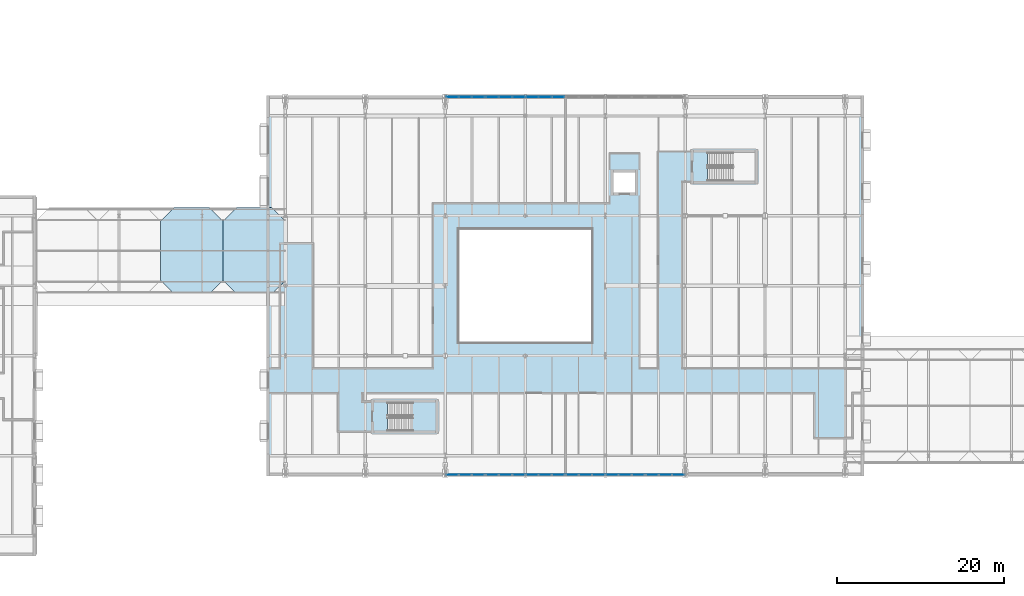
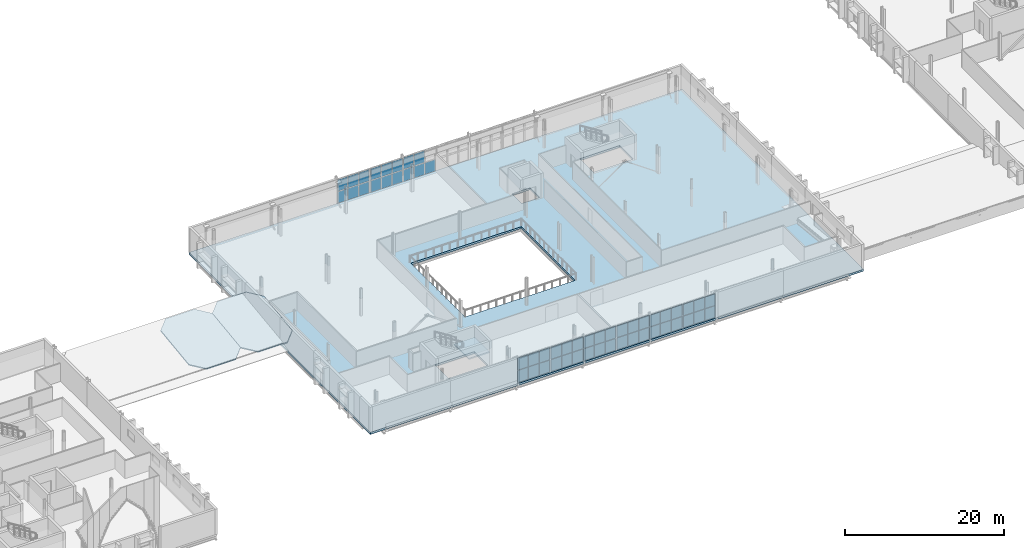
# One storey, part 43 of 90: 53 plates, 4 slabs, 11 elements without a shape of their own.
"""IFC4 building model written with IfcOpenShell, lengths in metres."""

from ifc_helpers import new_model, si_unit, direction, frame, origin, origin_2d, place, context, subcontext, project, spatial, polyline, rectangle, outline, extrude, material, layer, layer_set, type_object, element, aggregate, save


model = new_model("IFC4")

# Units and contexts
model_context = context("Model", 3, precision=1e-05, world=origin(), true_north=direction((0.0, 1.0)))
body_context = subcontext(model_context, "Body", "Model", "MODEL_VIEW")
ifc_project = project(units=[si_unit("LENGTHUNIT", "METRE"), si_unit("AREAUNIT", "SQUARE_METRE"), si_unit("VOLUMEUNIT", "CUBIC_METRE"), si_unit("PLANEANGLEUNIT", "RADIAN"), si_unit("MASSUNIT", "GRAM", prefix="KILO")], contexts=[model_context])

# Site, building, storey
site_placement = place(None, origin())
site = spatial("IfcSite", under=ifc_project, at=site_placement, CompositionType="ELEMENT")
building_placement = place(site_placement, origin())
building = spatial("IfcBuilding", under=site, at=building_placement, Name="Zereglee Splitstone Museum", CompositionType="ELEMENT")
storey_placement = place(building_placement, frame((0.0, 0.0, 4.800048828125)))
storey = spatial("IfcBuildingStorey", under=building, at=storey_placement, Name="L01", CompositionType="ELEMENT", Elevation=4.800048828125)

# Curtain wall, plates
ifc_material_1 = material(Name="Triple-glazed low-E argon glass and bronze-anodised aluminium", Category="aluminium")
ifc_layer_1 = layer(ifc_material_1, 0.219970703125)
ifc_layer_set_1 = layer_set([ifc_layer_1], Name="Triple-glazed low-E argon glass and bronze-anodised aluminium")
curtain_wall_type_1 = type_object("IfcCurtainWallType", Name="CW-0476-382", PredefinedType="USERDEFINED", material=ifc_layer_set_1)
curtain_wall_1_placement = place(storey_placement, origin())
curtain_wall_1 = element("IfcCurtainWall", 1, at=curtain_wall_1_placement, inside=storey, type_object=curtain_wall_type_1, Name="Glazed Curtain Wall CW-0476-382 (L01)", ObjectType="GLAZED CURTAIN WALL", PredefinedType="USERDEFINED")
ifc_material_2 = material(Name="Triple low-e argon insulated safety glass", Category="glass")
ifc_layer_2 = layer(ifc_material_2, 0.035888671875)
ifc_layer_set_2 = layer_set([ifc_layer_2], Name="Triple low-e argon insulated safety glass")
plate_type = type_object("IfcPlateType", Name="CWP-01", PredefinedType="CURTAIN_PANEL", material=ifc_layer_set_2)
plate_1_placement = place(storey_placement, frame((110.747802734375, 52.679931640625, 0.07470703125), z_axis=(0.0, 0.0, 1.0), x_axis=(-1.0, 0.0, 0.0)))
plate_1 = element("IfcPlate", 2, at=plate_1_placement, type_object=plate_type, Name="CW-0476-382 panel 1.1", PredefinedType="CURTAIN_PANEL", context=body_context, shape_type="SweptSolid", body=[
    extrude(rectangle(XDim=1.47412109375, YDim=0.035888671875, at=origin_2d()), origin(), (0.0, 0.0, 1.0), 1.797607421875),
])
plate_2_placement = place(storey_placement, frame((109.179931640625, 52.679931640625, 0.07470703125), z_axis=(0.0, 0.0, 1.0), x_axis=(-1.0, 0.0, 0.0)))
plate_2 = element("IfcPlate", 3, at=plate_2_placement, type_object=plate_type, Name="CW-0476-382 panel 2.1", PredefinedType="CURTAIN_PANEL", context=body_context, shape_type="SweptSolid", body=[
    extrude(rectangle(XDim=1.51171875, YDim=0.035888671875, at=origin_2d()), origin(), (0.0, 0.0, 1.0), 1.797607421875),
])
plate_3_placement = place(storey_placement, frame((109.179931640625, 52.679931640625, 1.947265625), z_axis=(0.0, 0.0, 1.0), x_axis=(-1.0, 0.0, 0.0)))
plate_3 = element("IfcPlate", 4, at=plate_3_placement, type_object=plate_type, Name="CW-0476-382 panel 2.2", PredefinedType="CURTAIN_PANEL", context=body_context, shape_type="SweptSolid", body=[
    extrude(rectangle(XDim=1.51171875, YDim=0.035888671875, at=origin_2d()), origin(), (0.0, 0.0, 1.0), 1.797607421875),
])
plate_4_placement = place(storey_placement, frame((107.612060546875, 52.679931640625, 0.07470703125), z_axis=(0.0, 0.0, 1.0), x_axis=(-1.0, 0.0, 0.0)))
plate_4 = element("IfcPlate", 5, at=plate_4_placement, type_object=plate_type, Name="CW-0476-382 panel 3.1", PredefinedType="CURTAIN_PANEL", context=body_context, shape_type="SweptSolid", body=[
    extrude(rectangle(XDim=1.47412109375, YDim=0.035888671875, at=origin_2d()), origin(), (0.0, 0.0, 1.0), 1.797607421875),
])
plate_5_placement = place(storey_placement, frame((107.612060546875, 52.679931640625, 1.947265625), z_axis=(0.0, 0.0, 1.0), x_axis=(-1.0, 0.0, 0.0)))
plate_5 = element("IfcPlate", 6, at=plate_5_placement, type_object=plate_type, Name="CW-0476-382 panel 3.2", PredefinedType="CURTAIN_PANEL", context=body_context, shape_type="SweptSolid", body=[
    extrude(rectangle(XDim=1.47412109375, YDim=0.035888671875, at=origin_2d()), origin(), (0.0, 0.0, 1.0), 1.797607421875),
])
aggregate(curtain_wall_1, [plate_1, plate_2, plate_3, plate_4, plate_5])

ifc_layer_3 = layer(ifc_material_1, 0.219970703125)
ifc_layer_set_3 = layer_set([ifc_layer_3], Name="Triple-glazed low-E argon glass and bronze-anodised aluminium")
curtain_wall_type_2 = type_object("IfcCurtainWallType", Name="CW-0476-378", PredefinedType="USERDEFINED", material=ifc_layer_set_3)
curtain_wall_2_placement = place(storey_placement, origin())
curtain_wall_2 = element("IfcCurtainWall", 7, at=curtain_wall_2_placement, inside=storey, type_object=curtain_wall_type_2, Name="Glazed Curtain Wall CW-0476-378 (L01)", ObjectType="GLAZED CURTAIN WALL", PredefinedType="USERDEFINED")
plate_6_placement = place(storey_placement, frame((105.988037109375, 52.679931640625, 0.07470703125), z_axis=(0.0, 0.0, 1.0), x_axis=(-1.0, 0.0, 0.0)))
plate_6 = element("IfcPlate", 8, at=plate_6_placement, type_object=plate_type, Name="CW-0476-378 panel 1.1", PredefinedType="CURTAIN_PANEL", context=body_context, shape_type="SweptSolid", body=[
    extrude(rectangle(XDim=1.47412109375, YDim=0.035888671875, at=origin_2d()), origin(), (0.0, 0.0, 1.0), 1.777587890625),
])
plate_7_placement = place(storey_placement, frame((105.988037109375, 52.679931640625, 1.92724609375), z_axis=(0.0, 0.0, 1.0), x_axis=(-1.0, 0.0, 0.0)))
plate_7 = element("IfcPlate", 9, at=plate_7_placement, type_object=plate_type, Name="CW-0476-378 panel 1.2", PredefinedType="CURTAIN_PANEL", context=body_context, shape_type="SweptSolid", body=[
    extrude(rectangle(XDim=1.47412109375, YDim=0.035888671875, at=origin_2d()), origin(), (0.0, 0.0, 1.0), 1.777587890625),
])
plate_8_placement = place(storey_placement, frame((104.419921875, 52.679931640625, 0.07470703125), z_axis=(0.0, 0.0, 1.0), x_axis=(-1.0, 0.0, 0.0)))
plate_8 = element("IfcPlate", 10, at=plate_8_placement, type_object=plate_type, Name="CW-0476-378 panel 2.1", PredefinedType="CURTAIN_PANEL", context=body_context, shape_type="SweptSolid", body=[
    extrude(rectangle(XDim=1.51171875, YDim=0.035888671875, at=origin_2d()), origin(), (0.0, 0.0, 1.0), 1.777587890625),
])
plate_9_placement = place(storey_placement, frame((104.419921875, 52.679931640625, 1.92724609375), z_axis=(0.0, 0.0, 1.0), x_axis=(-1.0, 0.0, 0.0)))
plate_9 = element("IfcPlate", 11, at=plate_9_placement, type_object=plate_type, Name="CW-0476-378 panel 2.2", PredefinedType="CURTAIN_PANEL", context=body_context, shape_type="SweptSolid", body=[
    extrude(rectangle(XDim=1.51171875, YDim=0.035888671875, at=origin_2d()), origin(), (0.0, 0.0, 1.0), 1.777587890625),
])
plate_10_placement = place(storey_placement, frame((102.85205078125, 52.679931640625, 0.07470703125), z_axis=(0.0, 0.0, 1.0), x_axis=(-1.0, 0.0, 0.0)))
plate_10 = element("IfcPlate", 12, at=plate_10_placement, type_object=plate_type, Name="CW-0476-378 panel 3.1", PredefinedType="CURTAIN_PANEL", context=body_context, shape_type="SweptSolid", body=[
    extrude(rectangle(XDim=1.47412109375, YDim=0.035888671875, at=origin_2d()), origin(), (0.0, 0.0, 1.0), 1.777587890625),
])
plate_11_placement = place(storey_placement, frame((102.85205078125, 52.679931640625, 1.92724609375), z_axis=(0.0, 0.0, 1.0), x_axis=(-1.0, 0.0, 0.0)))
plate_11 = element("IfcPlate", 13, at=plate_11_placement, type_object=plate_type, Name="CW-0476-378 panel 3.2", PredefinedType="CURTAIN_PANEL", context=body_context, shape_type="SweptSolid", body=[
    extrude(rectangle(XDim=1.47412109375, YDim=0.035888671875, at=origin_2d()), origin(), (0.0, 0.0, 1.0), 1.777587890625),
])
aggregate(curtain_wall_2, [plate_6, plate_7, plate_8, plate_9, plate_10, plate_11])

ifc_layer_4 = layer(ifc_material_1, 0.219970703125)
ifc_layer_set_4 = layer_set([ifc_layer_4], Name="Triple-glazed low-E argon glass and bronze-anodised aluminium")
curtain_wall_type_3 = type_object("IfcCurtainWallType", Name="CW-0476-376", PredefinedType="USERDEFINED", material=ifc_layer_set_4)
curtain_wall_3_placement = place(storey_placement, origin())
curtain_wall_3 = element("IfcCurtainWall", 14, at=curtain_wall_3_placement, inside=storey, type_object=curtain_wall_type_3, Name="Glazed Curtain Wall CW-0476-376 (L01)", ObjectType="GLAZED CURTAIN WALL", PredefinedType="USERDEFINED")
plate_12_placement = place(storey_placement, frame((101.14794921875, 52.679931640625, 0.074951171875), z_axis=(0.0, 0.0, 1.0), x_axis=(-1.0, 0.0, 0.0)))
plate_12 = element("IfcPlate", 15, at=plate_12_placement, type_object=plate_type, Name="CW-0476-376 panel 1.1", PredefinedType="CURTAIN_PANEL", context=body_context, shape_type="SweptSolid", body=[
    extrude(rectangle(XDim=1.47412109375, YDim=0.035888671875, at=origin_2d()), origin(), (0.0, 0.0, 1.0), 1.767578125),
])
plate_13_placement = place(storey_placement, frame((101.14794921875, 52.679931640625, 1.91748046875), z_axis=(0.0, 0.0, 1.0), x_axis=(-1.0, 0.0, 0.0)))
plate_13 = element("IfcPlate", 16, at=plate_13_placement, type_object=plate_type, Name="CW-0476-376 panel 1.2", PredefinedType="CURTAIN_PANEL", context=body_context, shape_type="SweptSolid", body=[
    extrude(rectangle(XDim=1.47412109375, YDim=0.035888671875, at=origin_2d()), origin(), (0.0, 0.0, 1.0), 1.767578125),
])
plate_14_placement = place(storey_placement, frame((99.580078125, 52.679931640625, 0.074951171875), z_axis=(0.0, 0.0, 1.0), x_axis=(-1.0, 0.0, 0.0)))
plate_14 = element("IfcPlate", 17, at=plate_14_placement, type_object=plate_type, Name="CW-0476-376 panel 2.1", PredefinedType="CURTAIN_PANEL", context=body_context, shape_type="SweptSolid", body=[
    extrude(rectangle(XDim=1.51171875, YDim=0.035888671875, at=origin_2d()), origin(), (0.0, 0.0, 1.0), 1.767578125),
])
plate_15_placement = place(storey_placement, frame((99.580078125, 52.679931640625, 1.91748046875), z_axis=(0.0, 0.0, 1.0), x_axis=(-1.0, 0.0, 0.0)))
plate_15 = element("IfcPlate", 18, at=plate_15_placement, type_object=plate_type, Name="CW-0476-376 panel 2.2", PredefinedType="CURTAIN_PANEL", context=body_context, shape_type="SweptSolid", body=[
    extrude(rectangle(XDim=1.51171875, YDim=0.035888671875, at=origin_2d()), origin(), (0.0, 0.0, 1.0), 1.767578125),
])
plate_16_placement = place(storey_placement, frame((98.011962890625, 52.679931640625, 0.074951171875), z_axis=(0.0, 0.0, 1.0), x_axis=(-1.0, 0.0, 0.0)))
plate_16 = element("IfcPlate", 19, at=plate_16_placement, type_object=plate_type, Name="CW-0476-376 panel 3.1", PredefinedType="CURTAIN_PANEL", context=body_context, shape_type="SweptSolid", body=[
    extrude(rectangle(XDim=1.47412109375, YDim=0.035888671875, at=origin_2d()), origin(), (0.0, 0.0, 1.0), 1.767578125),
])
plate_17_placement = place(storey_placement, frame((98.011962890625, 52.679931640625, 1.91748046875), z_axis=(0.0, 0.0, 1.0), x_axis=(-1.0, 0.0, 0.0)))
plate_17 = element("IfcPlate", 20, at=plate_17_placement, type_object=plate_type, Name="CW-0476-376 panel 3.2", PredefinedType="CURTAIN_PANEL", context=body_context, shape_type="SweptSolid", body=[
    extrude(rectangle(XDim=1.47412109375, YDim=0.035888671875, at=origin_2d()), origin(), (0.0, 0.0, 1.0), 1.767578125),
])
aggregate(curtain_wall_3, [plate_12, plate_13, plate_14, plate_15, plate_16, plate_17])

ifc_layer_5 = layer(ifc_material_1, 0.219970703125)
ifc_layer_set_5 = layer_set([ifc_layer_5], Name="Triple-glazed low-E argon glass and bronze-anodised aluminium")
curtain_wall_type_4 = type_object("IfcCurtainWallType", Name="CW-0476-390", PredefinedType="USERDEFINED", material=ifc_layer_set_5)
curtain_wall_4_placement = place(storey_placement, origin())
curtain_wall_4 = element("IfcCurtainWall", 21, at=curtain_wall_4_placement, inside=storey, type_object=curtain_wall_type_4, Name="Glazed Curtain Wall CW-0476-390 (L01)", ObjectType="GLAZED CURTAIN WALL", PredefinedType="USERDEFINED")
plate_18_placement = place(storey_placement, frame((98.011962890625, 7.320068359375, 0.074951171875), z_axis=(0.0, 0.0, 1.0), x_axis=(1.0, 0.0, 0.0)))
plate_18 = element("IfcPlate", 22, at=plate_18_placement, type_object=plate_type, Name="CW-0476-390 panel 1.1", PredefinedType="CURTAIN_PANEL", context=body_context, shape_type="SweptSolid", body=[
    extrude(rectangle(XDim=1.47412109375, YDim=0.035888671875, at=origin_2d()), origin(), (0.0, 0.0, 1.0), 1.83740234375),
])
plate_19_placement = place(storey_placement, frame((98.011962890625, 7.320068359375, 1.987548828125), z_axis=(0.0, 0.0, 1.0), x_axis=(1.0, 0.0, 0.0)))
plate_19 = element("IfcPlate", 23, at=plate_19_placement, type_object=plate_type, Name="CW-0476-390 panel 1.2", PredefinedType="CURTAIN_PANEL", context=body_context, shape_type="SweptSolid", body=[
    extrude(rectangle(XDim=1.47412109375, YDim=0.035888671875, at=origin_2d()), origin(), (0.0, 0.0, 1.0), 1.83740234375),
])
plate_20_placement = place(storey_placement, frame((99.580078125, 7.320068359375, 0.074951171875), z_axis=(0.0, 0.0, 1.0), x_axis=(1.0, 0.0, 0.0)))
plate_20 = element("IfcPlate", 24, at=plate_20_placement, type_object=plate_type, Name="CW-0476-390 panel 2.1", PredefinedType="CURTAIN_PANEL", context=body_context, shape_type="SweptSolid", body=[
    extrude(rectangle(XDim=1.51171875, YDim=0.035888671875, at=origin_2d()), origin(), (0.0, 0.0, 1.0), 1.83740234375),
])
plate_21_placement = place(storey_placement, frame((99.580078125, 7.320068359375, 1.987548828125), z_axis=(0.0, 0.0, 1.0), x_axis=(1.0, 0.0, 0.0)))
plate_21 = element("IfcPlate", 25, at=plate_21_placement, type_object=plate_type, Name="CW-0476-390 panel 2.2", PredefinedType="CURTAIN_PANEL", context=body_context, shape_type="SweptSolid", body=[
    extrude(rectangle(XDim=1.51171875, YDim=0.035888671875, at=origin_2d()), origin(), (0.0, 0.0, 1.0), 1.83740234375),
])
plate_22_placement = place(storey_placement, frame((101.14794921875, 7.320068359375, 0.074951171875), z_axis=(0.0, 0.0, 1.0), x_axis=(1.0, 0.0, 0.0)))
plate_22 = element("IfcPlate", 26, at=plate_22_placement, type_object=plate_type, Name="CW-0476-390 panel 3.1", PredefinedType="CURTAIN_PANEL", context=body_context, shape_type="SweptSolid", body=[
    extrude(rectangle(XDim=1.47412109375, YDim=0.035888671875, at=origin_2d()), origin(), (0.0, 0.0, 1.0), 1.83740234375),
])
plate_23_placement = place(storey_placement, frame((101.14794921875, 7.320068359375, 1.987548828125), z_axis=(0.0, 0.0, 1.0), x_axis=(1.0, 0.0, 0.0)))
plate_23 = element("IfcPlate", 27, at=plate_23_placement, type_object=plate_type, Name="CW-0476-390 panel 3.2", PredefinedType="CURTAIN_PANEL", context=body_context, shape_type="SweptSolid", body=[
    extrude(rectangle(XDim=1.47412109375, YDim=0.035888671875, at=origin_2d()), origin(), (0.0, 0.0, 1.0), 1.83740234375),
])
aggregate(curtain_wall_4, [plate_18, plate_19, plate_20, plate_21, plate_22, plate_23])

ifc_layer_6 = layer(ifc_material_1, 0.219970703125)
ifc_layer_set_6 = layer_set([ifc_layer_6], Name="Triple-glazed low-E argon glass and bronze-anodised aluminium")
curtain_wall_type_5 = type_object("IfcCurtainWallType", Name="CW-0476-388", PredefinedType="USERDEFINED", material=ifc_layer_set_6)
curtain_wall_5_placement = place(storey_placement, origin())
curtain_wall_5 = element("IfcCurtainWall", 28, at=curtain_wall_5_placement, inside=storey, type_object=curtain_wall_type_5, Name="Glazed Curtain Wall CW-0476-388 (L01)", ObjectType="GLAZED CURTAIN WALL", PredefinedType="USERDEFINED")
plate_24_placement = place(storey_placement, frame((102.85205078125, 7.320068359375, 0.0751953125), z_axis=(0.0, 0.0, 1.0), x_axis=(1.0, 0.0, 0.0)))
plate_24 = element("IfcPlate", 29, at=plate_24_placement, type_object=plate_type, Name="CW-0476-388 panel 1.1", PredefinedType="CURTAIN_PANEL", context=body_context, shape_type="SweptSolid", body=[
    extrude(rectangle(XDim=1.47412109375, YDim=0.035888671875, at=origin_2d()), origin(), (0.0, 0.0, 1.0), 1.827392578125),
])
plate_25_placement = place(storey_placement, frame((102.85205078125, 7.320068359375, 1.9775390625), z_axis=(0.0, 0.0, 1.0), x_axis=(1.0, 0.0, 0.0)))
plate_25 = element("IfcPlate", 30, at=plate_25_placement, type_object=plate_type, Name="CW-0476-388 panel 1.2", PredefinedType="CURTAIN_PANEL", context=body_context, shape_type="SweptSolid", body=[
    extrude(rectangle(XDim=1.47412109375, YDim=0.035888671875, at=origin_2d()), origin(), (0.0, 0.0, 1.0), 1.827392578125),
])
plate_26_placement = place(storey_placement, frame((104.419921875, 7.320068359375, 0.0751953125), z_axis=(0.0, 0.0, 1.0), x_axis=(1.0, 0.0, 0.0)))
plate_26 = element("IfcPlate", 31, at=plate_26_placement, type_object=plate_type, Name="CW-0476-388 panel 2.1", PredefinedType="CURTAIN_PANEL", context=body_context, shape_type="SweptSolid", body=[
    extrude(rectangle(XDim=1.51171875, YDim=0.035888671875, at=origin_2d()), origin(), (0.0, 0.0, 1.0), 1.827392578125),
])
plate_27_placement = place(storey_placement, frame((104.419921875, 7.320068359375, 1.9775390625), z_axis=(0.0, 0.0, 1.0), x_axis=(1.0, 0.0, 0.0)))
plate_27 = element("IfcPlate", 32, at=plate_27_placement, type_object=plate_type, Name="CW-0476-388 panel 2.2", PredefinedType="CURTAIN_PANEL", context=body_context, shape_type="SweptSolid", body=[
    extrude(rectangle(XDim=1.51171875, YDim=0.035888671875, at=origin_2d()), origin(), (0.0, 0.0, 1.0), 1.827392578125),
])
plate_28_placement = place(storey_placement, frame((105.988037109375, 7.320068359375, 0.0751953125), z_axis=(0.0, 0.0, 1.0), x_axis=(1.0, 0.0, 0.0)))
plate_28 = element("IfcPlate", 33, at=plate_28_placement, type_object=plate_type, Name="CW-0476-388 panel 3.1", PredefinedType="CURTAIN_PANEL", context=body_context, shape_type="SweptSolid", body=[
    extrude(rectangle(XDim=1.47412109375, YDim=0.035888671875, at=origin_2d()), origin(), (0.0, 0.0, 1.0), 1.827392578125),
])
plate_29_placement = place(storey_placement, frame((105.988037109375, 7.320068359375, 1.9775390625), z_axis=(0.0, 0.0, 1.0), x_axis=(1.0, 0.0, 0.0)))
plate_29 = element("IfcPlate", 34, at=plate_29_placement, type_object=plate_type, Name="CW-0476-388 panel 3.2", PredefinedType="CURTAIN_PANEL", context=body_context, shape_type="SweptSolid", body=[
    extrude(rectangle(XDim=1.47412109375, YDim=0.035888671875, at=origin_2d()), origin(), (0.0, 0.0, 1.0), 1.827392578125),
])
aggregate(curtain_wall_5, [plate_24, plate_25, plate_26, plate_27, plate_28, plate_29])

ifc_layer_7 = layer(ifc_material_1, 0.219970703125)
ifc_layer_set_7 = layer_set([ifc_layer_7], Name="Triple-glazed low-E argon glass and bronze-anodised aluminium")
curtain_wall_type_6 = type_object("IfcCurtainWallType", Name="CW-0476-384", PredefinedType="USERDEFINED", material=ifc_layer_set_7)
curtain_wall_6_placement = place(storey_placement, origin())
curtain_wall_6 = element("IfcCurtainWall", 35, at=curtain_wall_6_placement, inside=storey, type_object=curtain_wall_type_6, Name="Glazed Curtain Wall CW-0476-384 (L01)", ObjectType="GLAZED CURTAIN WALL", PredefinedType="USERDEFINED")
plate_30_placement = place(storey_placement, frame((107.612060546875, 7.320068359375, 0.074951171875), z_axis=(0.0, 0.0, 1.0), x_axis=(1.0, 0.0, 0.0)))
plate_30 = element("IfcPlate", 36, at=plate_30_placement, type_object=plate_type, Name="CW-0476-384 panel 1.1", PredefinedType="CURTAIN_PANEL", context=body_context, shape_type="SweptSolid", body=[
    extrude(rectangle(XDim=1.47412109375, YDim=0.035888671875, at=origin_2d()), origin(), (0.0, 0.0, 1.0), 1.8076171875),
])
plate_31_placement = place(storey_placement, frame((107.612060546875, 7.320068359375, 1.957275390625), z_axis=(0.0, 0.0, 1.0), x_axis=(1.0, 0.0, 0.0)))
plate_31 = element("IfcPlate", 37, at=plate_31_placement, type_object=plate_type, Name="CW-0476-384 panel 1.2", PredefinedType="CURTAIN_PANEL", context=body_context, shape_type="SweptSolid", body=[
    extrude(rectangle(XDim=1.47412109375, YDim=0.035888671875, at=origin_2d()), origin(), (0.0, 0.0, 1.0), 1.8076171875),
])
plate_32_placement = place(storey_placement, frame((109.179931640625, 7.320068359375, 0.074951171875), z_axis=(0.0, 0.0, 1.0), x_axis=(1.0, 0.0, 0.0)))
plate_32 = element("IfcPlate", 38, at=plate_32_placement, type_object=plate_type, Name="CW-0476-384 panel 2.1", PredefinedType="CURTAIN_PANEL", context=body_context, shape_type="SweptSolid", body=[
    extrude(rectangle(XDim=1.51171875, YDim=0.035888671875, at=origin_2d()), origin(), (0.0, 0.0, 1.0), 1.8076171875),
])
plate_33_placement = place(storey_placement, frame((109.179931640625, 7.320068359375, 1.957275390625), z_axis=(0.0, 0.0, 1.0), x_axis=(1.0, 0.0, 0.0)))
plate_33 = element("IfcPlate", 39, at=plate_33_placement, type_object=plate_type, Name="CW-0476-384 panel 2.2", PredefinedType="CURTAIN_PANEL", context=body_context, shape_type="SweptSolid", body=[
    extrude(rectangle(XDim=1.51171875, YDim=0.035888671875, at=origin_2d()), origin(), (0.0, 0.0, 1.0), 1.8076171875),
])
plate_34_placement = place(storey_placement, frame((110.747802734375, 7.320068359375, 0.074951171875), z_axis=(0.0, 0.0, 1.0), x_axis=(1.0, 0.0, 0.0)))
plate_34 = element("IfcPlate", 40, at=plate_34_placement, type_object=plate_type, Name="CW-0476-384 panel 3.1", PredefinedType="CURTAIN_PANEL", context=body_context, shape_type="SweptSolid", body=[
    extrude(rectangle(XDim=1.47412109375, YDim=0.035888671875, at=origin_2d()), origin(), (0.0, 0.0, 1.0), 1.8076171875),
])
plate_35_placement = place(storey_placement, frame((110.747802734375, 7.320068359375, 1.957275390625), z_axis=(0.0, 0.0, 1.0), x_axis=(1.0, 0.0, 0.0)))
plate_35 = element("IfcPlate", 41, at=plate_35_placement, type_object=plate_type, Name="CW-0476-384 panel 3.2", PredefinedType="CURTAIN_PANEL", context=body_context, shape_type="SweptSolid", body=[
    extrude(rectangle(XDim=1.47412109375, YDim=0.035888671875, at=origin_2d()), origin(), (0.0, 0.0, 1.0), 1.8076171875),
])
aggregate(curtain_wall_6, [plate_30, plate_31, plate_32, plate_33, plate_34, plate_35])

curtain_wall_7_placement = place(storey_placement, origin())
curtain_wall_7 = element("IfcCurtainWall", 42, at=curtain_wall_7_placement, inside=storey, type_object=curtain_wall_type_1, Name="Glazed Curtain Wall CW-0476-382 (L01)", ObjectType="GLAZED CURTAIN WALL", PredefinedType="USERDEFINED")
plate_36_placement = place(storey_placement, frame((112.4521484375, 7.320068359375, 0.07470703125), z_axis=(0.0, 0.0, 1.0), x_axis=(1.0, 0.0, 0.0)))
plate_36 = element("IfcPlate", 43, at=plate_36_placement, type_object=plate_type, Name="CW-0476-382 panel 1.1", PredefinedType="CURTAIN_PANEL", context=body_context, shape_type="SweptSolid", body=[
    extrude(rectangle(XDim=1.47412109375, YDim=0.035888671875, at=origin_2d()), origin(), (0.0, 0.0, 1.0), 1.797607421875),
])
plate_37_placement = place(storey_placement, frame((112.4521484375, 7.320068359375, 1.947265625), z_axis=(0.0, 0.0, 1.0), x_axis=(1.0, 0.0, 0.0)))
plate_37 = element("IfcPlate", 44, at=plate_37_placement, type_object=plate_type, Name="CW-0476-382 panel 1.2", PredefinedType="CURTAIN_PANEL", context=body_context, shape_type="SweptSolid", body=[
    extrude(rectangle(XDim=1.47412109375, YDim=0.035888671875, at=origin_2d()), origin(), (0.0, 0.0, 1.0), 1.797607421875),
])
plate_38_placement = place(storey_placement, frame((114.02001953125, 7.320068359375, 0.07470703125), z_axis=(0.0, 0.0, 1.0), x_axis=(1.0, 0.0, 0.0)))
plate_38 = element("IfcPlate", 45, at=plate_38_placement, type_object=plate_type, Name="CW-0476-382 panel 2.1", PredefinedType="CURTAIN_PANEL", context=body_context, shape_type="SweptSolid", body=[
    extrude(rectangle(XDim=1.51171875, YDim=0.035888671875, at=origin_2d()), origin(), (0.0, 0.0, 1.0), 1.797607421875),
])
plate_39_placement = place(storey_placement, frame((114.02001953125, 7.320068359375, 1.947265625), z_axis=(0.0, 0.0, 1.0), x_axis=(1.0, 0.0, 0.0)))
plate_39 = element("IfcPlate", 46, at=plate_39_placement, type_object=plate_type, Name="CW-0476-382 panel 2.2", PredefinedType="CURTAIN_PANEL", context=body_context, shape_type="SweptSolid", body=[
    extrude(rectangle(XDim=1.51171875, YDim=0.035888671875, at=origin_2d()), origin(), (0.0, 0.0, 1.0), 1.797607421875),
])
plate_40_placement = place(storey_placement, frame((115.587890625, 7.320068359375, 0.07470703125), z_axis=(0.0, 0.0, 1.0), x_axis=(1.0, 0.0, 0.0)))
plate_40 = element("IfcPlate", 47, at=plate_40_placement, type_object=plate_type, Name="CW-0476-382 panel 3.1", PredefinedType="CURTAIN_PANEL", context=body_context, shape_type="SweptSolid", body=[
    extrude(rectangle(XDim=1.47412109375, YDim=0.035888671875, at=origin_2d()), origin(), (0.0, 0.0, 1.0), 1.797607421875),
])
plate_41_placement = place(storey_placement, frame((115.587890625, 7.320068359375, 1.947265625), z_axis=(0.0, 0.0, 1.0), x_axis=(1.0, 0.0, 0.0)))
plate_41 = element("IfcPlate", 48, at=plate_41_placement, type_object=plate_type, Name="CW-0476-382 panel 3.2", PredefinedType="CURTAIN_PANEL", context=body_context, shape_type="SweptSolid", body=[
    extrude(rectangle(XDim=1.47412109375, YDim=0.035888671875, at=origin_2d()), origin(), (0.0, 0.0, 1.0), 1.797607421875),
])
aggregate(curtain_wall_7, [plate_36, plate_37, plate_38, plate_39, plate_40, plate_41])

curtain_wall_8_placement = place(storey_placement, origin())
curtain_wall_8 = element("IfcCurtainWall", 49, at=curtain_wall_8_placement, inside=storey, type_object=curtain_wall_type_2, Name="Glazed Curtain Wall CW-0476-378 (L01)", ObjectType="GLAZED CURTAIN WALL", PredefinedType="USERDEFINED")
plate_42_placement = place(storey_placement, frame((117.212158203125, 7.320068359375, 0.07470703125), z_axis=(0.0, 0.0, 1.0), x_axis=(1.0, 0.0, 0.0)))
plate_42 = element("IfcPlate", 50, at=plate_42_placement, type_object=plate_type, Name="CW-0476-378 panel 1.1", PredefinedType="CURTAIN_PANEL", context=body_context, shape_type="SweptSolid", body=[
    extrude(rectangle(XDim=1.47412109375, YDim=0.035888671875, at=origin_2d()), origin(), (0.0, 0.0, 1.0), 1.777587890625),
])
plate_43_placement = place(storey_placement, frame((117.212158203125, 7.320068359375, 1.92724609375), z_axis=(0.0, 0.0, 1.0), x_axis=(1.0, 0.0, 0.0)))
plate_43 = element("IfcPlate", 51, at=plate_43_placement, type_object=plate_type, Name="CW-0476-378 panel 1.2", PredefinedType="CURTAIN_PANEL", context=body_context, shape_type="SweptSolid", body=[
    extrude(rectangle(XDim=1.47412109375, YDim=0.035888671875, at=origin_2d()), origin(), (0.0, 0.0, 1.0), 1.777587890625),
])
plate_44_placement = place(storey_placement, frame((118.780029296875, 7.320068359375, 0.07470703125), z_axis=(0.0, 0.0, 1.0), x_axis=(1.0, 0.0, 0.0)))
plate_44 = element("IfcPlate", 52, at=plate_44_placement, type_object=plate_type, Name="CW-0476-378 panel 2.1", PredefinedType="CURTAIN_PANEL", context=body_context, shape_type="SweptSolid", body=[
    extrude(rectangle(XDim=1.51171875, YDim=0.035888671875, at=origin_2d()), origin(), (0.0, 0.0, 1.0), 1.777587890625),
])
plate_45_placement = place(storey_placement, frame((118.780029296875, 7.320068359375, 1.92724609375), z_axis=(0.0, 0.0, 1.0), x_axis=(1.0, 0.0, 0.0)))
plate_45 = element("IfcPlate", 53, at=plate_45_placement, type_object=plate_type, Name="CW-0476-378 panel 2.2", PredefinedType="CURTAIN_PANEL", context=body_context, shape_type="SweptSolid", body=[
    extrude(rectangle(XDim=1.51171875, YDim=0.035888671875, at=origin_2d()), origin(), (0.0, 0.0, 1.0), 1.777587890625),
])
plate_46_placement = place(storey_placement, frame((120.347900390625, 7.320068359375, 0.07470703125), z_axis=(0.0, 0.0, 1.0), x_axis=(1.0, 0.0, 0.0)))
plate_46 = element("IfcPlate", 54, at=plate_46_placement, type_object=plate_type, Name="CW-0476-378 panel 3.1", PredefinedType="CURTAIN_PANEL", context=body_context, shape_type="SweptSolid", body=[
    extrude(rectangle(XDim=1.47412109375, YDim=0.035888671875, at=origin_2d()), origin(), (0.0, 0.0, 1.0), 1.777587890625),
])
plate_47_placement = place(storey_placement, frame((120.347900390625, 7.320068359375, 1.92724609375), z_axis=(0.0, 0.0, 1.0), x_axis=(1.0, 0.0, 0.0)))
plate_47 = element("IfcPlate", 55, at=plate_47_placement, type_object=plate_type, Name="CW-0476-378 panel 3.2", PredefinedType="CURTAIN_PANEL", context=body_context, shape_type="SweptSolid", body=[
    extrude(rectangle(XDim=1.47412109375, YDim=0.035888671875, at=origin_2d()), origin(), (0.0, 0.0, 1.0), 1.777587890625),
])
aggregate(curtain_wall_8, [plate_42, plate_43, plate_44, plate_45, plate_46, plate_47])

curtain_wall_9_placement = place(storey_placement, origin())
curtain_wall_9 = element("IfcCurtainWall", 56, at=curtain_wall_9_placement, inside=storey, type_object=curtain_wall_type_3, Name="Glazed Curtain Wall CW-0476-376 (L01)", ObjectType="GLAZED CURTAIN WALL", PredefinedType="USERDEFINED")
plate_48_placement = place(storey_placement, frame((122.052001953125, 7.320068359375, 0.074951171875), z_axis=(0.0, 0.0, 1.0), x_axis=(1.0, 0.0, 0.0)))
plate_48 = element("IfcPlate", 57, at=plate_48_placement, type_object=plate_type, Name="CW-0476-376 panel 1.1", PredefinedType="CURTAIN_PANEL", context=body_context, shape_type="SweptSolid", body=[
    extrude(rectangle(XDim=1.47412109375, YDim=0.035888671875, at=origin_2d()), origin(), (0.0, 0.0, 1.0), 1.767578125),
])
plate_49_placement = place(storey_placement, frame((122.052001953125, 7.320068359375, 1.91748046875), z_axis=(0.0, 0.0, 1.0), x_axis=(1.0, 0.0, 0.0)))
plate_49 = element("IfcPlate", 58, at=plate_49_placement, type_object=plate_type, Name="CW-0476-376 panel 1.2", PredefinedType="CURTAIN_PANEL", context=body_context, shape_type="SweptSolid", body=[
    extrude(rectangle(XDim=1.47412109375, YDim=0.035888671875, at=origin_2d()), origin(), (0.0, 0.0, 1.0), 1.767578125),
])
plate_50_placement = place(storey_placement, frame((123.6201171875, 7.320068359375, 0.074951171875), z_axis=(0.0, 0.0, 1.0), x_axis=(1.0, 0.0, 0.0)))
plate_50 = element("IfcPlate", 59, at=plate_50_placement, type_object=plate_type, Name="CW-0476-376 panel 2.1", PredefinedType="CURTAIN_PANEL", context=body_context, shape_type="SweptSolid", body=[
    extrude(rectangle(XDim=1.51171875, YDim=0.035888671875, at=origin_2d()), origin(), (0.0, 0.0, 1.0), 1.767578125),
])
plate_51_placement = place(storey_placement, frame((123.6201171875, 7.320068359375, 1.91748046875), z_axis=(0.0, 0.0, 1.0), x_axis=(1.0, 0.0, 0.0)))
plate_51 = element("IfcPlate", 60, at=plate_51_placement, type_object=plate_type, Name="CW-0476-376 panel 2.2", PredefinedType="CURTAIN_PANEL", context=body_context, shape_type="SweptSolid", body=[
    extrude(rectangle(XDim=1.51171875, YDim=0.035888671875, at=origin_2d()), origin(), (0.0, 0.0, 1.0), 1.767578125),
])
plate_52_placement = place(storey_placement, frame((125.18798828125, 7.320068359375, 0.074951171875), z_axis=(0.0, 0.0, 1.0), x_axis=(1.0, 0.0, 0.0)))
plate_52 = element("IfcPlate", 61, at=plate_52_placement, type_object=plate_type, Name="CW-0476-376 panel 3.1", PredefinedType="CURTAIN_PANEL", context=body_context, shape_type="SweptSolid", body=[
    extrude(rectangle(XDim=1.47412109375, YDim=0.035888671875, at=origin_2d()), origin(), (0.0, 0.0, 1.0), 1.767578125),
])
plate_53_placement = place(storey_placement, frame((125.18798828125, 7.320068359375, 1.91748046875), z_axis=(0.0, 0.0, 1.0), x_axis=(1.0, 0.0, 0.0)))
plate_53 = element("IfcPlate", 62, at=plate_53_placement, type_object=plate_type, Name="CW-0476-376 panel 3.2", PredefinedType="CURTAIN_PANEL", context=body_context, shape_type="SweptSolid", body=[
    extrude(rectangle(XDim=1.47412109375, YDim=0.035888671875, at=origin_2d()), origin(), (0.0, 0.0, 1.0), 1.767578125),
])
aggregate(curtain_wall_9, [plate_48, plate_49, plate_50, plate_51, plate_52, plate_53])

# Slab
ifc_material_3 = material(Name="Concrete C35/45", Category="concrete")
ifc_layer_8 = layer(ifc_material_3, 0.300048828125)
ifc_layer_set_8 = layer_set([ifc_layer_8], Name="Concrete C35/45")
slab_type_1 = type_object("IfcSlabType", Name="FS-02", PredefinedType="FLOOR", material=ifc_layer_set_8)
slab_1_placement = place(storey_placement, frame((0.0, 0.0, -0.300048828125)))
element("IfcSlab", 63, at=slab_1_placement, inside=storey, type_object=slab_type_1, Name="Gallery Floor Slab L01-V2", PredefinedType="FLOOR", context=body_context, shape_type="SweptSolid", body=[
    extrude(outline(polyline([(75.800048828125, 7.199951171875), (147.39990234375, 7.199951171875), (147.39990234375, 52.800048828125), (75.800048828125, 52.800048828125), (75.800048828125, 7.199951171875)]), holes=[polyline([(98.800048828125, 23.199951171875), (114.800048828125, 23.199951171875), (114.800048828125, 36.800048828125), (98.800048828125, 36.800048828125), (98.800048828125, 23.199951171875)]), polyline([(128.654052734375, 42.60009765625), (134.39990234375, 42.60009765625), (134.39990234375, 46.0), (128.654052734375, 46.0), (128.654052734375, 42.60009765625)]), polyline([(90.25390625, 12.60009765625), (96.0, 12.60009765625), (96.0, 16.0), (90.25390625, 16.0), (90.25390625, 12.60009765625)]), polyline([(117.39990234375, 41.199951171875), (120.0, 41.199951171875), (120.0, 43.60009765625), (117.39990234375, 43.60009765625), (117.39990234375, 41.199951171875)])]), origin(), (0.0, 0.0, 1.0), 0.300048828125),
])

# Roof, slabs
ifc_material_4 = material(Name="Standing-seam zinc roofing on Concrete C35/45", Category="concrete")
ifc_layer_9 = layer(ifc_material_4, 0.219970703125)
ifc_layer_set_9 = layer_set([ifc_layer_9], Name="Concrete C35/45")
roof_type = type_object("IfcRoofType", Name="RF-A1", PredefinedType="SHED_ROOF", material=ifc_layer_set_9)
roof_placement = place(storey_placement, origin())
roof = element("IfcRoof", 64, at=roof_placement, inside=storey, type_object=roof_type, Name="Sloping Split-Rock Roof Assembly RF-L1", PredefinedType="SHED_ROOF")
ifc_layer_10 = layer(ifc_material_3, 0.169921875)
ifc_layer_set_10 = layer_set([ifc_layer_10], Name="Concrete C35/45")
slab_type_2 = type_object("IfcSlabType", Name="RS-05", PredefinedType="ROOF", material=ifc_layer_set_10)
slab_2_placement = place(storey_placement, frame((64.64990234375, 29.0, 0.489990234375), z_axis=(0.0, -0.129655344624, 0.991559121591), x_axis=(1.0, 0.0, 0.0)))
slab_2 = element("IfcSlab", 65, at=slab_2_placement, type_object=slab_type_2, Name="Split-Rock Roof Slab RF-L1 Panel 3", PredefinedType="ROOF", context=body_context, shape_type="SweptSolid", body=[
    extrude(outline(polyline([(0.0, 0.0), (4.2001953125, 0.0), (5.85009765625, 1.6639579756738256), (5.85009765625, 8.82450525343658), (4.2001953125, 10.488431574973532), (0.0, 10.488431574973532), (-1.64990234375, 8.82450525343658), (-1.64990234375, 1.6639579756738256), (0.0, 0.0)])), origin(), (0.0, 0.0, -1.0), 0.169921875),
])
slab_3_placement = place(storey_placement, frame((72.14990234375, 29.0, 0.489990234375), z_axis=(0.0, -0.129655344624, 0.991559121591), x_axis=(1.0, 0.0, 0.0)))
slab_3 = element("IfcSlab", 66, at=slab_3_placement, type_object=slab_type_2, Name="Split-Rock Roof Slab RF-L1 Panel 4", PredefinedType="ROOF", context=body_context, shape_type="SweptSolid", body=[
    extrude(outline(polyline([(0.0, 0.0), (4.2001953125, 0.0), (5.85009765625, 1.6639579756738256), (5.85009765625, 8.82450525343658), (4.2001953125, 10.488431574973532), (0.0, 10.488431574973532), (-1.64990234375, 8.82450525343658), (-1.64990234375, 1.6639579756738256), (0.0, 0.0)])), origin(), (0.0, 0.0, -1.0), 0.169921875),
])
aggregate(roof, [slab_2, slab_3])

# Stair, slab
stair_type = type_object("IfcStairType", Name="ST-06B", PredefinedType="HALF_TURN_STAIR", material=ifc_material_3)
stair_placement = place(storey_placement, origin())
stair = element("IfcStair", 67, at=stair_placement, inside=storey, type_object=stair_type, Name="L01 Protected Exit Stair ST-06 B", PredefinedType="HALF_TURN_STAIR")
ifc_layer_11 = layer(ifc_material_3, 0.199951171875)
ifc_layer_set_11 = layer_set([ifc_layer_11], Name="Concrete C35/45")
slab_type_3 = type_object("IfcSlabType", Name="ST-06B", PredefinedType="LANDING", material=ifc_layer_set_11)
slab_4_placement = place(storey_placement, frame((0.0, 0.0, 1.89990234375)))
slab_4 = element("IfcSlab", 68, at=slab_4_placement, type_object=slab_type_3, Name="ST-06B landing 1", PredefinedType="LANDING", context=body_context, shape_type="SweptSolid", body=[
    extrude(outline(polyline([(93.14990234375, 12.4599609375), (96.139892578125, 12.4599609375), (96.139892578125, 16.139892578125), (93.14990234375, 16.139892578125), (93.14990234375, 12.4599609375)])), origin(), (0.0, 0.0, 1.0), 0.199951171875),
])
aggregate(stair, [slab_4])

save(model, "model.ifc")
